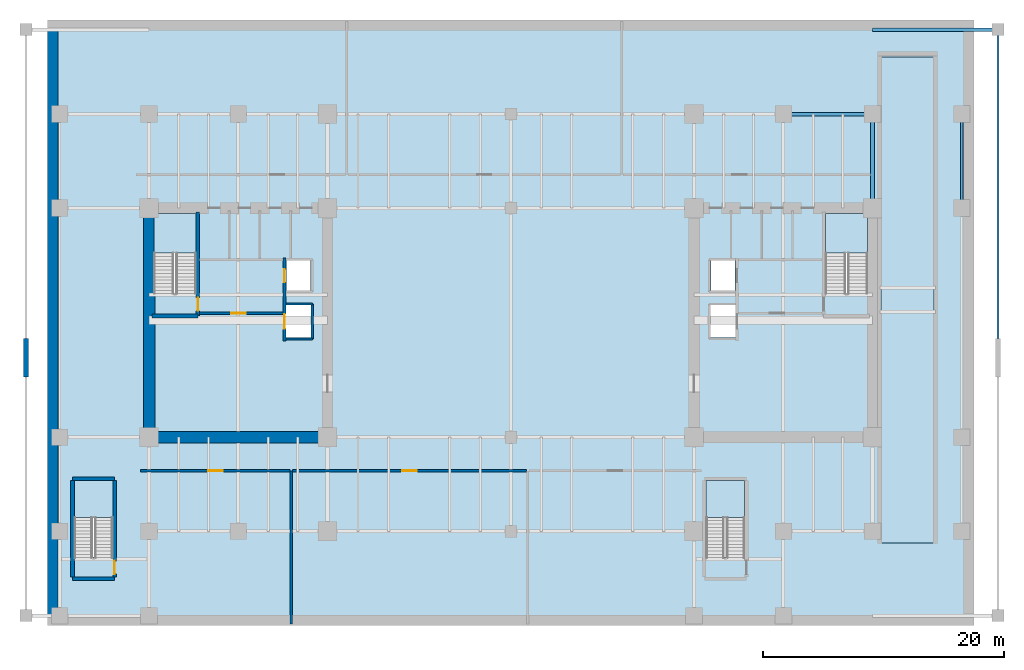
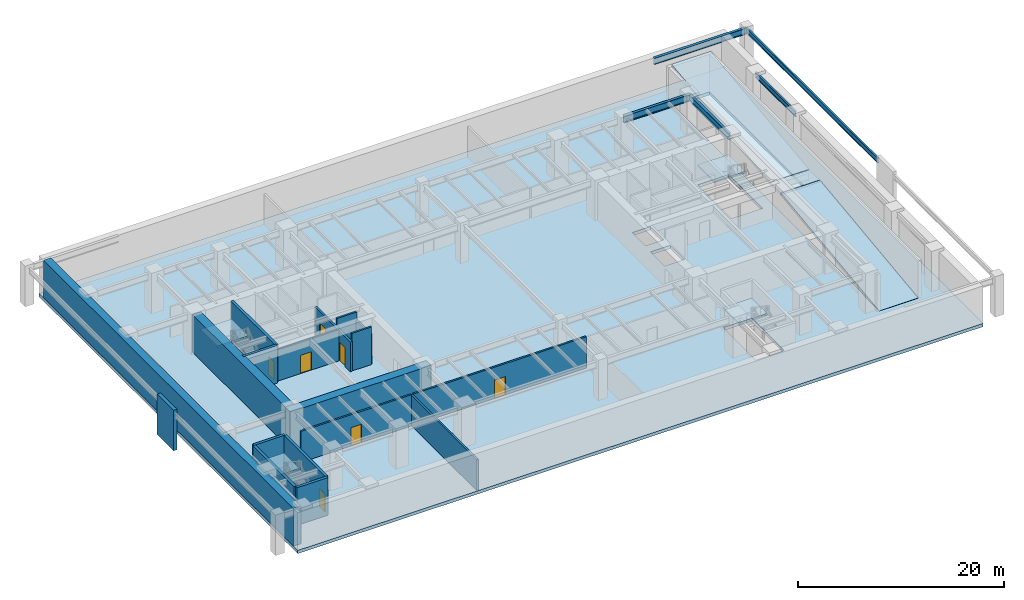
# One storey, part 2 of 7: 18 walls, 8 slabs, 7 doors, 5 beams, 7 openings, 4 elements without a shape of their own.
"""IFC4 building model written with IfcOpenShell, lengths in metres."""

from ifc_helpers import new_model, si_unit, direction, frame, frame_2d, origin, origin_2d, place, context, subcontext, project, spatial, polyline, rectangle, i_section, outline, extrude, source, transform, mapped, material, layer, layer_set, material_profile, profile_set, type_object, type_shapes, element, fill, aggregate, save


model = new_model("IFC4")

# Units and contexts
model_context = context("Model", 3, precision=1e-05, world=origin(), true_north=direction((0.0, 1.0)))
body_context = subcontext(model_context, "Body", "Model", "MODEL_VIEW")
ifc_project = project(units=[si_unit("LENGTHUNIT", "METRE"), si_unit("AREAUNIT", "SQUARE_METRE"), si_unit("VOLUMEUNIT", "CUBIC_METRE"), si_unit("PLANEANGLEUNIT", "RADIAN"), si_unit("MASSUNIT", "GRAM", prefix="KILO")], contexts=[model_context])

# Site, building, storey
site_placement = place(None, origin())
site = spatial("IfcSite", under=ifc_project, at=site_placement, CompositionType="ELEMENT")
building_placement = place(site_placement, origin())
building = spatial("IfcBuilding", under=site, at=building_placement, Name="Haelvirn Gate Laboratories", CompositionType="ELEMENT")
storey_placement = place(building_placement, frame((0.0, 0.0, -4.800048828125)))
storey = spatial("IfcBuildingStorey", under=building, at=storey_placement, Name="B1", CompositionType="ELEMENT", Elevation=-4.800048828125)

# Beams
ifc_material_1 = material(Name="Steel SM420", Category="steel")
ifc_material_profile_1 = material_profile(ifc_material_1, i_section(OverallWidth=0.300048828125, OverallDepth=0.800048828125, WebThickness=0.013916015625, FlangeThickness=0.02587890625, at=origin_2d()), Name="H-800x300x14x26")
ifc_profile_set_1 = profile_set([ifc_material_profile_1], Name="Steel SM420")
beam_type_1 = type_object("IfcBeamType", Name="BM-G-800", PredefinedType="BEAM", material=ifc_profile_set_1)
shared_shape_1 = source(origin(), body_context, "Body", "SweptSolid", [
    extrude(i_section(OverallWidth=0.300048828125, OverallDepth=0.800048828125, WebThickness=0.013916015625, FlangeThickness=0.02587890625, at=origin_2d()), origin(), (0.0, 0.0, 1.0), 7.39990234375),
])
type_shapes(beam_type_1, [shared_shape_1])
beam_1_placement = place(storey_placement, frame((60.0, 41.60009765625, 4.050048828125), z_axis=(1.0, 0.0, 0.0), x_axis=(0.0, 1.0, 0.0)))
element("IfcBeam", 1, at=beam_1_placement, inside=storey, type_object=beam_type_1, Name="B1 Primary Girder Y41.6 (60.0-67.4)", PredefinedType="BEAM", context=body_context, shape_type="MappedRepresentation", body=[
    mapped(shared_shape_1, transform((0.0, 0.0, 0.0), scale=1.0)),
])
ifc_material_2 = material(Name="Steel SM355", Category="steel")
ifc_material_profile_2 = material_profile(ifc_material_2, i_section(OverallWidth=0.199951171875, OverallDepth=0.60009765625, WebThickness=0.010986328125, FlangeThickness=0.01708984375, at=origin_2d()), Name="H-600x200x11x17")
ifc_profile_set_2 = profile_set([ifc_material_profile_2], Name="Steel SM355")
beam_type_2 = type_object("IfcBeamType", Name="BM-SP-600", PredefinedType="SPANDREL", material=ifc_profile_set_2)
shared_shape_2 = source(origin(), body_context, "Body", "SweptSolid", [
    extrude(i_section(OverallWidth=0.199951171875, OverallDepth=0.60009765625, WebThickness=0.010986328125, FlangeThickness=0.01708984375, at=origin_2d()), origin(), (0.0, 0.0, 1.0), 7.800048828125),
])
beam_2_placement = place(storey_placement, frame((74.800048828125, 33.800048828125, 4.150146484375), z_axis=(0.0, 1.0, 0.0), x_axis=(-1.0, 0.0, 0.0)))
element("IfcBeam", 2, at=beam_2_placement, inside=storey, type_object=beam_type_2, Name="B1 Perimeter Spandrel X74.8 (33.8-41.6)", PredefinedType="SPANDREL", context=body_context, shape_type="MappedRepresentation", body=[
    mapped(shared_shape_2, transform((0.0, 0.0, 0.0), scale=1.0)),
])
ifc_material_profile_3 = material_profile(ifc_material_2, i_section(OverallWidth=0.300048828125, OverallDepth=0.75, WebThickness=0.013916015625, FlangeThickness=0.02392578125, at=origin_2d()), Name="H-750x300x14x24")
ifc_profile_set_3 = profile_set([ifc_material_profile_3], Name="Steel SM355")
beam_type_3 = type_object("IfcBeamType", Name="BM-G-750", PredefinedType="BEAM", material=ifc_profile_set_3)
shared_shape_3 = source(origin(), body_context, "Body", "SweptSolid", [
    extrude(i_section(OverallWidth=0.300048828125, OverallDepth=0.75, WebThickness=0.013916015625, FlangeThickness=0.02392578125, at=origin_2d()), origin(), (0.0, 0.0, 1.0), 7.800048828125),
])
beam_3_placement = place(storey_placement, frame((67.39990234375, 33.800048828125, 4.074951171875), z_axis=(0.0, 1.0, 0.0), x_axis=(-1.0, 0.0, 0.0)))
element("IfcBeam", 3, at=beam_3_placement, inside=storey, type_object=beam_type_3, Name="B1 Frame Girder X67.4 (33.8-41.6)", PredefinedType="BEAM", context=body_context, shape_type="MappedRepresentation", body=[
    mapped(shared_shape_3, transform((0.0, 0.0, 0.0), scale=1.0)),
])
shared_shape_4 = source(origin(), body_context, "Body", "SweptSolid", [
    extrude(i_section(OverallWidth=0.300048828125, OverallDepth=0.75, WebThickness=0.013916015625, FlangeThickness=0.02392578125, at=origin_2d()), origin(), (0.0, 0.0, 1.0), 10.400146484375),
])
type_shapes(beam_type_3, [shared_shape_3, shared_shape_4])
beam_4_placement = place(storey_placement, frame((67.39990234375, 48.60009765625, 4.074951171875), z_axis=(1.0, 0.0, 0.0), x_axis=(0.0, 1.0, 0.0)))
element("IfcBeam", 4, at=beam_4_placement, inside=storey, type_object=beam_type_3, Name="B1 East Plaza Support Girder N", PredefinedType="BEAM", context=body_context, shape_type="MappedRepresentation", body=[
    mapped(shared_shape_4, transform((0.0, 0.0, 0.0), scale=1.0)),
])
shared_shape_5 = source(origin(), body_context, "Body", "SweptSolid", [
    extrude(i_section(OverallWidth=0.199951171875, OverallDepth=0.60009765625, WebThickness=0.010986328125, FlangeThickness=0.01708984375, at=origin_2d()), origin(), (0.0, 0.0, 1.0), 25.60009765625),
])
type_shapes(beam_type_2, [shared_shape_2, shared_shape_5])
beam_5_placement = place(storey_placement, frame((77.800048828125, 23.0, 4.150146484375), z_axis=(0.0, 1.0, 0.0), x_axis=(-1.0, 0.0, 0.0)))
element("IfcBeam", 5, at=beam_5_placement, inside=storey, type_object=beam_type_2, Name="B1 East Plaza Edge Beam N", PredefinedType="SPANDREL", context=body_context, shape_type="MappedRepresentation", body=[
    mapped(shared_shape_5, transform((0.0, 0.0, 0.0), scale=1.0)),
])

# Stair, slab
ifc_material_3 = material(Name="Concrete C40/50", Category="concrete")
stair_type_1 = type_object("IfcStairType", Name="ST-DOG-1650-R26", PredefinedType="HALF_TURN_STAIR", material=ifc_material_3)
stair_1_placement = place(storey_placement, origin())
stair_1 = element("IfcStair", 6, at=stair_1_placement, inside=storey, type_object=stair_type_1, Name="B1 Escape Stair ST1", PredefinedType="HALF_TURN_STAIR")
ifc_layer_1 = layer(ifc_material_3, 0.199951171875, Name="SL-STAIR-LND")
ifc_layer_set_1 = layer_set([ifc_layer_1], Name="Concrete C40/50")
slab_type_1 = type_object("IfcSlabType", Name="SL-STAIR-LND", PredefinedType="LANDING", material=ifc_layer_set_1)
slab_1_placement = place(storey_placement, frame((0.0, 0.0, 2.199951171875)))
slab_1 = element("IfcSlab", 7, at=slab_1_placement, type_object=slab_type_1, Name="ST1 landing 1", PredefinedType="LANDING", context=body_context, shape_type="SweptSolid", body=[
    extrude(outline(polyline([(11.300048828125, 30.06005859375), (11.300048828125, 33.35009765625), (7.800048828125, 33.35009765625), (7.800048828125, 30.06005859375), (11.300048828125, 30.06005859375)])), origin(), (0.0, 0.0, 1.0), 0.2001953125),
])
aggregate(stair_1, [slab_1])

stair_2_placement = place(storey_placement, origin())
stair_2 = element("IfcStair", 8, at=stair_2_placement, inside=storey, type_object=stair_type_1, Name="B1 Escape Stair ST2", PredefinedType="HALF_TURN_STAIR")
slab_2_placement = place(storey_placement, frame((0.0, 0.0, 2.199951171875)))
slab_2 = element("IfcSlab", 9, at=slab_2_placement, type_object=slab_type_1, Name="ST2 landing 1", PredefinedType="LANDING", context=body_context, shape_type="SweptSolid", body=[
    extrude(outline(polyline([(67.0, 30.06005859375), (67.0, 33.35009765625), (63.5, 33.35009765625), (63.5, 30.06005859375), (67.0, 30.06005859375)])), origin(), (0.0, 0.0, 1.0), 0.2001953125),
])
aggregate(stair_2, [slab_2])

stair_type_2 = type_object("IfcStairType", Name="ST-DOG-1500-R26", PredefinedType="HALF_TURN_STAIR", material=ifc_material_3)
stair_3_placement = place(storey_placement, origin())
stair_3 = element("IfcStair", 10, at=stair_3_placement, inside=storey, type_object=stair_type_2, Name="B1 Escape Stair ST3", PredefinedType="HALF_TURN_STAIR")
slab_3_placement = place(storey_placement, frame((0.0, 0.0, 2.199951171875)))
slab_3 = element("IfcSlab", 11, at=slab_3_placement, type_object=slab_type_1, Name="ST3 landing 1", PredefinedType="LANDING", context=body_context, shape_type="SweptSolid", body=[
    extrude(outline(polyline([(4.39990234375, 8.159912109375), (4.39990234375, 11.199951171875), (1.199951171875, 11.199951171875), (1.199951171875, 8.159912109375), (4.39990234375, 8.159912109375)])), origin(), (0.0, 0.0, 1.0), 0.2001953125),
])
aggregate(stair_3, [slab_3])

stair_4_placement = place(storey_placement, origin())
stair_4 = element("IfcStair", 12, at=stair_4_placement, inside=storey, type_object=stair_type_2, Name="B1 Escape Stair ST4", PredefinedType="HALF_TURN_STAIR")
slab_4_placement = place(storey_placement, frame((0.0, 0.0, 2.199951171875)))
slab_4 = element("IfcSlab", 13, at=slab_4_placement, type_object=slab_type_1, Name="ST4 landing 1", PredefinedType="LANDING", context=body_context, shape_type="SweptSolid", body=[
    extrude(outline(polyline([(56.800048828125, 8.159912109375), (56.800048828125, 11.199951171875), (53.60009765625, 11.199951171875), (53.60009765625, 8.159912109375), (56.800048828125, 8.159912109375)])), origin(), (0.0, 0.0, 1.0), 0.2001953125),
])
aggregate(stair_4, [slab_4])

# Slabs
ifc_material_4 = material(Name="Concrete C50/60", Category="concrete")
ifc_layer_2 = layer(ifc_material_4, 0.3798828125, Name="SL-SUB-380")
ifc_layer_set_2 = layer_set([ifc_layer_2], Name="Concrete C50/60")
slab_type_2 = type_object("IfcSlabType", Name="SL-SUB-380", PredefinedType="FLOOR", material=ifc_layer_set_2)
slab_5_placement = place(storey_placement, frame((0.0, 0.0, -0.3798828125)))
element("IfcSlab", 14, at=slab_5_placement, inside=storey, type_object=slab_type_2, Name="B1 Structural Slab MAIN", PredefinedType="FLOOR", context=body_context, shape_type="SweptSolid", body=[
    extrude(outline(polyline([(-1.0, -0.800048828125), (75.800048828125, -0.800048828125), (75.800048828125, -0.800048828125), (75.800048828125, -0.800048828125), (75.800048828125, 49.39990234375), (75.800048828125, 49.39990234375), (75.800048828125, 49.39990234375), (-1.0, 49.39990234375), (-1.0, 49.39990234375), (-1.0, 49.39990234375), (-1.0, -0.800048828125), (-1.0, -0.800048828125), (-1.0, -0.800048828125)]), holes=[polyline([(11.300048828125, 26.780029296875), (11.300048828125, 33.35009765625), (7.800048828125, 33.35009765625), (7.800048828125, 26.780029296875), (11.300048828125, 26.780029296875)]), polyline([(67.0, 26.780029296875), (67.0, 33.35009765625), (63.5, 33.35009765625), (63.5, 26.780029296875), (67.0, 26.780029296875)]), polyline([(4.39990234375, 4.8798828125), (4.39990234375, 11.199951171875), (1.199951171875, 11.199951171875), (1.199951171875, 4.8798828125), (4.39990234375, 4.8798828125)]), polyline([(56.800048828125, 4.8798828125), (56.800048828125, 11.199951171875), (53.60009765625, 11.199951171875), (53.60009765625, 4.8798828125), (56.800048828125, 4.8798828125)]), polyline([(18.7900390625, 26.969970703125), (20.81005859375, 26.969970703125), (20.81005859375, 29.510009765625), (18.7900390625, 29.510009765625), (18.7900390625, 26.969970703125)]), polyline([(18.68994140625, 23.070068359375), (20.909912109375, 23.070068359375), (20.909912109375, 25.81005859375), (18.68994140625, 25.81005859375), (18.68994140625, 23.070068359375)]), polyline([(53.989990234375, 26.969970703125), (56.010009765625, 26.969970703125), (56.010009765625, 29.510009765625), (53.989990234375, 29.510009765625), (53.989990234375, 26.969970703125)]), polyline([(53.889892578125, 23.070068359375), (56.110107421875, 23.070068359375), (56.110107421875, 25.81005859375), (53.889892578125, 25.81005859375), (53.889892578125, 23.070068359375)]), polyline([(68.199951171875, 6.080078125), (72.39990234375, 6.080078125), (72.39990234375, 46.39990234375), (68.199951171875, 46.39990234375), (68.199951171875, 6.080078125)])]), origin(), (0.0, 0.0, 1.0), 0.3798828125),
])
ifc_layer_3 = layer(ifc_material_4, 0.300048828125, Name="SL-VRMP-300")
ifc_layer_set_3 = layer_set([ifc_layer_3], Name="Concrete C50/60")
slab_type_3 = type_object("IfcSlabType", Name="SL-VRMP-300", PredefinedType="USERDEFINED", material=ifc_layer_set_3)
slab_6_placement = place(storey_placement, frame((68.10009765625, 6.050048828125, 0.010009765625), z_axis=(0.0, -0.124170543435, 0.992260891169), x_axis=(1.0, 0.0, 0.0)))
element("IfcSlab", 15, at=slab_6_placement, inside=storey, type_object=slab_type_3, Name="Car park vehicle ramp B1 lower structural slab", ObjectType="RAMP", PredefinedType="USERDEFINED", context=body_context, shape_type="SweptSolid", body=[
    extrude(outline(polyline([(0.0, 0.0), (4.39990234375, 0.0), (4.39990234375, 19.248779296875), (0.0, 19.248779296875), (0.0, 0.0)])), origin(), (0.0, 0.0, -1.0), 0.300048828125),
])
slab_7_placement = place(storey_placement, frame((68.10009765625, 27.25, 2.400146484375), z_axis=(0.0, -0.124668441349, 0.992198457836), x_axis=(1.0, 0.0, 0.0)))
element("IfcSlab", 16, at=slab_7_placement, inside=storey, type_object=slab_type_3, Name="Car park vehicle ramp B1 upper structural slab", ObjectType="RAMP", PredefinedType="USERDEFINED", context=body_context, shape_type="SweptSolid", body=[
    extrude(outline(polyline([(0.0, 0.0), (4.39990234375, 0.0), (4.39990234375, 19.250244140625), (0.0, 19.250244140625), (0.0, 0.0)])), origin(), (0.0, 0.0, -1.0), 0.300048828125),
])
ifc_layer_4 = layer(ifc_material_4, 0.300048828125, Name="SL-VRMP-LND")
ifc_layer_set_4 = layer_set([ifc_layer_4], Name="Concrete C50/60")
slab_type_4 = type_object("IfcSlabType", Name="SL-VRMP-LND", PredefinedType="LANDING", material=ifc_layer_set_4)
slab_8_placement = place(storey_placement, frame((0.0, 0.0, 2.10009765625)))
element("IfcSlab", 17, at=slab_8_placement, inside=storey, type_object=slab_type_4, Name="Car park vehicle ramp B1 intermediate landing", PredefinedType="LANDING", context=body_context, shape_type="SweptSolid", body=[
    extrude(outline(polyline([(68.10009765625, 25.199951171875), (72.5, 25.199951171875), (72.5, 27.199951171875), (68.10009765625, 27.199951171875), (68.10009765625, 25.199951171875)])), origin(), (0.0, 0.0, 1.0), 0.300048828125),
])

# Walls
ifc_layer_5 = layer(ifc_material_3, 0.199951171875, Name="IW-SHAFT-200")
ifc_layer_set_5 = layer_set([ifc_layer_5], Name="Concrete C40/50")
wall_type_1 = type_object("IfcWallType", Name="IW-SHAFT-200", PredefinedType="SOLIDWALL", material=ifc_layer_set_5)
wall_1_placement = place(storey_placement, frame((20.949951171875, 22.949951171875, 0.0), z_axis=(0.0, 0.0, 1.0), x_axis=(0.0, 1.0, 0.0)))
element("IfcWall", 18, at=wall_1_placement, inside=storey, type_object=wall_type_1, Name="B1 Interior Wall IW-B1-SL1-BK", PredefinedType="SOLIDWALL", context=body_context, shape_type="SweptSolid", body=[
    extrude(rectangle(XDim=2.900146484375, YDim=0.199951171875, at=frame_2d((1.4501953125, 0.0))), origin(), (0.0, 0.0, 1.0), 3.53515625),
])
for number, where, z_axis, x_axis, name in (
    (19, (18.760009765625, 25.85009765625, 0.0), (0.0, 0.0, 1.0), (1.0, 0.0, 0.0), "B1 Interior Wall IW-B1-SL1-N"),
    (20, (18.760009765625, 22.949951171875, 0.0), (0.0, 0.0, 1.0), (1.0, 0.0, 0.0), "B1 Interior Wall IW-B1-SL1-S"),
):
    element("IfcWall", number, at=place(storey_placement, frame(where, z_axis=z_axis, x_axis=x_axis)), inside=storey, type_object=wall_type_1, Name=name, PredefinedType="SOLIDWALL", context=body_context, shape_type="SweptSolid", body=[
        extrude(rectangle(XDim=2.18994140625, YDim=0.199951171875, at=frame_2d((1.094970703125, 0.0))), origin(), (0.0, 0.0, 1.0), 4.449951171875),
    ])

# Wall, opening, door
wall_2_placement = place(storey_placement, frame((6.699951171875, 12.02001953125, 0.0), z_axis=(0.0, 0.0, 1.0), x_axis=(1.0, 0.0, 0.0)))
wall_2 = element("IfcWall", 21, at=wall_2_placement, inside=storey, type_object=wall_type_1, Name="B1 Interior Wall IW-B1-PSW-1", PredefinedType="SOLIDWALL", context=body_context, shape_type="SweptSolid", body=[
    extrude(rectangle(XDim=12.400146484375, YDim=0.199951171875, at=frame_2d((6.2001953125, 0.0))), origin(), (0.0, 0.0, 1.0), 3.68505859375),
])
opening_1_placement = place(wall_2_placement, frame((5.60009765625, 0.0, 0.0)))
opening_1 = element("IfcOpeningElement", 22, at=opening_1_placement, cuts=wall_2, Name="Opening FD2", PredefinedType="OPENING", context=body_context, shape_type="SweptSolid", body=[
    extrude(rectangle(XDim=1.199951171875, YDim=2.159912109375, at=frame_2d((0.60009765625, 1.080078125))), frame((0.0, 0.10986328125, 0.0), z_axis=(0.0, -1.0, 0.0), x_axis=(1.0, 0.0, 0.0)), (0.0, 0.0, 1.0), 0.219970703125),
])
ifc_material_5 = material(Name="Fire-rated steel SM355 compartment door", Category="steel")
door_type_1 = type_object("IfcDoorType", Name="DR-FD-1200", OperationType="NOTDEFINED", PredefinedType="DOOR", material=ifc_material_5)
shared_shape_6 = source(origin(), body_context, "Body", "SweptSolid", [
    extrude(rectangle(XDim=1.199951171875, YDim=2.159912109375, at=frame_2d((0.60009765625, 1.080078125))), frame((0.0, 0.02490234375, 0.0), z_axis=(0.0, -1.0, 0.0), x_axis=(1.0, 0.0, 0.0)), (0.0, 0.0, 1.0), 0.050048828125),
])
type_shapes(door_type_1, [shared_shape_6])
door_1_placement = place(opening_1_placement, origin())
door_1 = element("IfcDoor", 23, at=door_1_placement, inside=storey, type_object=door_type_1, Name="B1 Central Substation & Switchgear Hall Fire Door", OperationType="SINGLE_SWING_LEFT", OverallHeight=2.159912109375, OverallWidth=1.199951171875, PredefinedType="DOOR", context=body_context, shape_type="MappedRepresentation", body=[
    mapped(shared_shape_6, transform((0.0, 0.0, 0.0), scale=1.0)),
])
fill(opening_1, door_1)

# Wall
wall_3_placement = place(storey_placement, frame((19.199951171875, -0.68994140625, 0.0), z_axis=(0.0, 0.0, 1.0), x_axis=(0.0, 1.0, 0.0)))
element("IfcWall", 24, at=wall_3_placement, inside=storey, type_object=wall_type_1, Name="B1 Interior Wall IW-B1-PSDIV-1", PredefinedType="SOLIDWALL", context=body_context, shape_type="SweptSolid", body=[
    extrude(rectangle(XDim=12.7099609375, YDim=0.199951171875, at=frame_2d((6.35498046875, 0.0))), origin(), (0.0, 0.0, 1.0), 3.635009765625),
])

# Wall, opening, door
wall_4_placement = place(storey_placement, frame((19.300048828125, 12.02001953125, 0.0), z_axis=(0.0, 0.0, 1.0), x_axis=(1.0, 0.0, 0.0)))
wall_4 = element("IfcWall", 25, at=wall_4_placement, inside=storey, type_object=wall_type_1, Name="B1 Interior Wall IW-B1-PSW-2", PredefinedType="SOLIDWALL", context=body_context, shape_type="SweptSolid", body=[
    extrude(rectangle(XDim=19.39990234375, YDim=0.199951171875, at=frame_2d((9.699951171875, 0.0))), origin(), (0.0, 0.0, 1.0), 3.68505859375),
])
opening_2_placement = place(wall_4_placement, frame((9.10009765625, 0.0, 0.0)))
opening_2 = element("IfcOpeningElement", 26, at=opening_2_placement, cuts=wall_4, Name="Opening FD2", PredefinedType="OPENING", context=body_context, shape_type="SweptSolid", body=[
    extrude(rectangle(XDim=1.199951171875, YDim=2.159912109375, at=frame_2d((0.60009765625, 1.080078125))), frame((0.0, 0.10986328125, 0.0), z_axis=(0.0, -1.0, 0.0), x_axis=(1.0, 0.0, 0.0)), (0.0, 0.0, 1.0), 0.219970703125),
])
door_2_placement = place(opening_2_placement, origin())
door_2 = element("IfcDoor", 27, at=door_2_placement, inside=storey, type_object=door_type_1, Name="B1 Cryogenic Bulk Gas Storage Fire Door", OperationType="SINGLE_SWING_RIGHT", OverallHeight=2.159912109375, OverallWidth=1.199951171875, PredefinedType="DOOR", context=body_context, shape_type="MappedRepresentation", body=[
    mapped(shared_shape_6, transform((0.0, 0.0, 0.0), scale=1.0)),
])
fill(opening_2, door_2)

ifc_layer_6 = layer(ifc_material_3, 0.239990234375, Name="IW-SHAFT-240")
ifc_layer_set_6 = layer_set([ifc_layer_6], Name="Concrete C40/50")
wall_type_2 = type_object("IfcWallType", Name="IW-SHAFT-240", PredefinedType="SOLIDWALL", material=ifc_layer_set_6)
wall_5_placement = place(storey_placement, frame((11.60009765625, 25.080078125, 0.0), z_axis=(0.0, 0.0, 1.0), x_axis=(1.0, 0.0, 0.0)))
wall_5 = element("IfcWall", 28, at=wall_5_placement, inside=storey, type_object=wall_type_2, Name="B1 Interior Wall IW-B1-W-FF-S", PredefinedType="SOLIDWALL", context=body_context, shape_type="SweptSolid", body=[
    extrude(rectangle(XDim=6.919921875, YDim=0.239990234375, at=frame_2d((3.4599609375, 0.0))), origin(), (0.0, 0.0, 1.0), 3.68505859375),
])
opening_3_placement = place(wall_5_placement, frame((2.60009765625, 0.0, 0.0)))
opening_3 = element("IfcOpeningElement", 29, at=opening_3_placement, cuts=wall_5, Name="Opening FD2", PredefinedType="OPENING", context=body_context, shape_type="SweptSolid", body=[
    extrude(rectangle(XDim=1.199951171875, YDim=2.159912109375, at=frame_2d((0.60009765625, 1.080078125))), frame((0.0, 0.1298828125, 0.0), z_axis=(0.0, -1.0, 0.0), x_axis=(1.0, 0.0, 0.0)), (0.0, 0.0, 1.0), 0.260009765625),
])
door_3_placement = place(opening_3_placement, origin())
door_3 = element("IfcDoor", 30, at=door_3_placement, inside=storey, type_object=door_type_1, Name="B1 West Firefighting Lobby Door", OperationType="SINGLE_SWING_RIGHT", OverallHeight=2.159912109375, OverallWidth=1.199951171875, PredefinedType="DOOR", context=body_context, shape_type="MappedRepresentation", body=[
    mapped(shared_shape_6, transform((0.0, 0.0, 0.0), scale=1.0)),
])
fill(opening_3, door_3)

# Wall, openings, doors
wall_6_placement = place(storey_placement, frame((18.639892578125, 22.800048828125, 0.0), z_axis=(0.0, 0.0, 1.0), x_axis=(0.0, 1.0, 0.0)))
wall_6 = element("IfcWall", 31, at=wall_6_placement, inside=storey, type_object=wall_type_2, Name="B1 Interior Wall IW-B1-W-FF-E", PredefinedType="SOLIDWALL", context=body_context, shape_type="SweptSolid", body=[
    extrude(rectangle(XDim=6.849853515625, YDim=0.239990234375, at=frame_2d((3.4248046875, 0.0))), origin(), (0.0, 0.0, 1.0), 3.53515625),
])
opening_4_placement = place(wall_6_placement, frame((4.85009765625, 0.0, 0.0)))
opening_4 = element("IfcOpeningElement", 32, at=opening_4_placement, cuts=wall_6, Name="Opening LD2", PredefinedType="OPENING", context=body_context, shape_type="SweptSolid", body=[
    extrude(rectangle(XDim=1.10009765625, YDim=2.219970703125, at=frame_2d((0.550048828125, 1.10986328125))), frame((0.0, 0.1298828125, 0.0), z_axis=(0.0, -1.0, 0.0), x_axis=(1.0, 0.0, 0.0)), (0.0, 0.0, 1.0), 0.260009765625),
])
opening_5_placement = place(wall_6_placement, frame((1.0, 0.0, 0.0)))
opening_5 = element("IfcOpeningElement", 33, at=opening_5_placement, cuts=wall_6, Name="Opening LD1", PredefinedType="OPENING", context=body_context, shape_type="SweptSolid", body=[
    extrude(rectangle(XDim=1.199951171875, YDim=2.219970703125, at=frame_2d((0.60009765625, 1.10986328125))), frame((0.0, 0.1298828125, 0.0), z_axis=(0.0, -1.0, 0.0), x_axis=(1.0, 0.0, 0.0)), (0.0, 0.0, 1.0), 0.260009765625),
])
ifc_material_6 = material(Name="Bronze stainless 316L sliding lift landing door")
door_type_2 = type_object("IfcDoorType", Name="DR-LD-1100", OperationType="NOTDEFINED", PredefinedType="USERDEFINED", material=ifc_material_6)
shared_shape_7 = source(origin(), body_context, "Body", "SweptSolid", [
    extrude(rectangle(XDim=1.10009765625, YDim=2.219970703125, at=frame_2d((0.550048828125, 1.10986328125))), frame((0.0, 0.02490234375, 0.0), z_axis=(0.0, -1.0, 0.0), x_axis=(1.0, 0.0, 0.0)), (0.0, 0.0, 1.0), 0.050048828125),
])
type_shapes(door_type_2, [shared_shape_7])
door_4_placement = place(opening_4_placement, origin())
door_4 = element("IfcDoor", 34, at=door_4_placement, inside=storey, type_object=door_type_2, Name="B1 Firefighting Lift FL1 Landing Door", ObjectType="LANDING_DOOR", OperationType="SLIDING_TO_LEFT", OverallHeight=2.219970703125, OverallWidth=1.10009765625, PredefinedType="USERDEFINED", context=body_context, shape_type="MappedRepresentation", body=[
    mapped(shared_shape_7, transform((0.0, 0.0, 0.0), scale=1.0)),
])
fill(opening_4, door_4)
ifc_material_7 = material(Name="Stainless steel 316L sliding goods landing door", Category="steel")
door_type_3 = type_object("IfcDoorType", Name="DR-LD-1200", OperationType="NOTDEFINED", PredefinedType="USERDEFINED", material=ifc_material_7)
shared_shape_8 = source(origin(), body_context, "Body", "SweptSolid", [
    extrude(rectangle(XDim=1.199951171875, YDim=2.219970703125, at=frame_2d((0.60009765625, 1.10986328125))), frame((0.0, 0.02490234375, 0.0), z_axis=(0.0, -1.0, 0.0), x_axis=(1.0, 0.0, 0.0)), (0.0, 0.0, 1.0), 0.050048828125),
])
type_shapes(door_type_3, [shared_shape_8])
door_5_placement = place(opening_5_placement, origin())
door_5 = element("IfcDoor", 35, at=door_5_placement, inside=storey, type_object=door_type_3, Name="B1 Service Lift SL1 Landing Door", ObjectType="LANDING_DOOR", OperationType="SLIDING_TO_RIGHT", OverallHeight=2.219970703125, OverallWidth=1.199951171875, PredefinedType="USERDEFINED", context=body_context, shape_type="MappedRepresentation", body=[
    mapped(shared_shape_8, transform((0.0, 0.0, 0.0), scale=1.0)),
])
fill(opening_5, door_5)

# Walls
ifc_material_8 = material(Name="Concrete C70/85", Category="concrete")
ifc_layer_7 = layer(ifc_material_8, 0.949951171875, Name="SW-CORE-950")
ifc_layer_set_7 = layer_set([ifc_layer_7], Name="Concrete C70/85")
wall_type_3 = type_object("IfcWallType", Name="SW-CORE-950", PredefinedType="SHEAR", material=ifc_layer_set_7)
wall_7_placement = place(storey_placement, frame((6.925048828125, 14.800048828125, 0.0), z_axis=(0.0, 0.0, 1.0), x_axis=(1.0, 0.0, 0.0)))
element("IfcWall", 36, at=wall_7_placement, inside=storey, type_object=wall_type_3, Name="B1 W Core Shear Wall S", PredefinedType="SHEAR", context=body_context, shape_type="SweptSolid", body=[
    extrude(rectangle(XDim=15.75, YDim=0.949951171875, at=frame_2d((7.875, 0.0))), origin(), (0.0, 0.0, 1.0), 4.449951171875),
])
wall_8_placement = place(storey_placement, frame((7.39990234375, 15.27490234375, 0.0), z_axis=(0.0, 0.0, 1.0), x_axis=(0.0, 1.0, 0.0)))
element("IfcWall", 37, at=wall_8_placement, inside=storey, type_object=wall_type_3, Name="B1 W Core Shear Wall W", PredefinedType="SHEAR", context=body_context, shape_type="SweptSolid", body=[
    extrude(rectangle(XDim=18.050048828125, YDim=0.949951171875, at=frame_2d((9.02490234375, 0.0))), origin(), (0.0, 0.0, 1.0), 4.449951171875),
])
ifc_layer_8 = layer(ifc_material_4, 0.39990234375, Name="SW-PLINTH-400")
ifc_layer_set_8 = layer_set([ifc_layer_8], Name="Concrete C50/60")
wall_type_4 = type_object("IfcWallType", Name="SW-PLINTH-400", PredefinedType="SOLIDWALL", material=ifc_layer_set_8)
wall_9_placement = place(storey_placement, frame((-2.800048828125, 19.800048828125, 0.0), z_axis=(0.0, 0.0, 1.0), x_axis=(0.0, 1.0, 0.0)))
element("IfcWall", 38, at=wall_9_placement, inside=storey, type_object=wall_type_4, Name="B1 West Accessible Ramp Plinth Wall", PredefinedType="SOLIDWALL", context=body_context, shape_type="SweptSolid", body=[
    extrude(rectangle(XDim=3.199951171875, YDim=0.39990234375, at=frame_2d((1.60009765625, 0.0))), origin(), (0.0, 0.0, 1.0), 4.7900390625),
])
ifc_layer_9 = layer(ifc_material_4, 0.85009765625, Name="SW-RET-850")
ifc_layer_set_9 = layer_set([ifc_layer_9], Name="Concrete C50/60")
wall_type_5 = type_object("IfcWallType", Name="SW-RET-850", PredefinedType="SOLIDWALL", material=ifc_layer_set_9)
wall_10_placement = place(storey_placement, frame((-0.574951171875, 0.050048828125, 0.0), z_axis=(0.0, 0.0, 1.0), x_axis=(0.0, 1.0, 0.0)))
element("IfcWall", 39, at=wall_10_placement, inside=storey, type_object=wall_type_5, Name="B1 Perimeter Diaphragm Wall W", PredefinedType="SOLIDWALL", context=body_context, shape_type="SweptSolid", body=[
    extrude(rectangle(XDim=48.5, YDim=0.85009765625, at=frame_2d((24.25, 0.0))), origin(), (0.0, 0.0, 1.0), 4.449951171875),
])

# Wall, opening, door
ifc_layer_10 = layer(ifc_material_4, 0.300048828125, Name="SW-STAIR-300")
ifc_layer_set_10 = layer_set([ifc_layer_10], Name="Concrete C50/60")
wall_type_6 = type_object("IfcWallType", Name="SW-STAIR-300", PredefinedType="SHEAR", material=ifc_layer_set_10)
wall_11_placement = place(storey_placement, frame((11.449951171875, 24.85009765625, 0.0), z_axis=(0.0, 0.0, 1.0), x_axis=(0.0, 1.0, 0.0)))
wall_11 = element("IfcWall", 40, at=wall_11_placement, inside=storey, type_object=wall_type_6, Name="B1 W Core Stair Shaft Structural Wall IN", PredefinedType="SHEAR", context=body_context, shape_type="SweptSolid", body=[
    extrude(rectangle(XDim=8.6298828125, YDim=0.300048828125, at=frame_2d((4.31494140625, 0.0))), origin(), (0.0, 0.0, 1.0), 4.449951171875),
])
opening_6_placement = place(wall_11_placement, frame((0.419921875, 0.0, 0.0)))
opening_6 = element("IfcOpeningElement", 41, at=opening_6_placement, cuts=wall_11, Name="Opening FD3", PredefinedType="OPENING", context=body_context, shape_type="SweptSolid", body=[
    extrude(rectangle(XDim=1.10009765625, YDim=2.14990234375, at=frame_2d((0.550048828125, 1.074951171875))), frame((0.0, 0.16015625, 0.0), z_axis=(0.0, -1.0, 0.0), x_axis=(1.0, 0.0, 0.0)), (0.0, 0.0, 1.0), 0.320068359375),
])
ifc_material_9 = material(Name="Fire-rated steel SM355 escape stair door", Category="steel")
door_type_4 = type_object("IfcDoorType", Name="DR-FD-1100", OperationType="NOTDEFINED", PredefinedType="DOOR", material=ifc_material_9)
shared_shape_9 = source(origin(), body_context, "Body", "SweptSolid", [
    extrude(rectangle(XDim=1.10009765625, YDim=2.14990234375, at=frame_2d((0.550048828125, 1.074951171875))), frame((0.0, 0.02490234375, 0.0), z_axis=(0.0, -1.0, 0.0), x_axis=(1.0, 0.0, 0.0)), (0.0, 0.0, 1.0), 0.050048828125),
])
type_shapes(door_type_4, [shared_shape_9])
door_6_placement = place(opening_6_placement, origin())
door_6 = element("IfcDoor", 42, at=door_6_placement, inside=storey, type_object=door_type_4, Name="B1 Escape Stair ST1 Fire Door", OperationType="SINGLE_SWING_LEFT", OverallHeight=2.14990234375, OverallWidth=1.10009765625, PredefinedType="DOOR", context=body_context, shape_type="MappedRepresentation", body=[
    mapped(shared_shape_9, transform((0.0, 0.0, 0.0), scale=1.0)),
])
fill(opening_6, door_6)

# Walls
wall_12_placement = place(storey_placement, frame((7.64990234375, 24.85009765625, 0.0), z_axis=(0.0, 0.0, 1.0), x_axis=(1.0, 0.0, 0.0)))
element("IfcWall", 43, at=wall_12_placement, inside=storey, type_object=wall_type_6, Name="B1 W Core Stair Shaft Structural Wall S", PredefinedType="SHEAR", context=body_context, shape_type="SweptSolid", body=[
    extrude(rectangle(XDim=3.800048828125, YDim=0.300048828125, at=frame_2d((1.89990234375, 0.0))), origin(), (0.0, 0.0, 1.0), 4.449951171875),
])
for number, where, z_axis, x_axis, name in (
    (44, (1.050048828125, 3.050048828125, 0.0), (0.0, 0.0, 1.0), (1.0, 0.0, 0.0), "B1 Podium Stair ST3 Structural Wall S"),
    (45, (1.050048828125, 11.35009765625, 0.0), (0.0, 0.0, 1.0), (1.0, 0.0, 0.0), "B1 Podium Stair ST3 Structural Wall N"),
):
    element("IfcWall", number, at=place(storey_placement, frame(where, z_axis=z_axis, x_axis=x_axis)), inside=storey, type_object=wall_type_6, Name=name, PredefinedType="SHEAR", context=body_context, shape_type="SweptSolid", body=[
        extrude(rectangle(XDim=3.5, YDim=0.300048828125, at=frame_2d((1.75, 0.0))), origin(), (0.0, 0.0, 1.0), 4.449951171875),
    ])
wall_13_placement = place(storey_placement, frame((1.050048828125, 3.199951171875, 0.0), z_axis=(0.0, 0.0, 1.0), x_axis=(0.0, 1.0, 0.0)))
element("IfcWall", 46, at=wall_13_placement, inside=storey, type_object=wall_type_6, Name="B1 Podium Stair ST3 Structural Wall W", PredefinedType="SHEAR", context=body_context, shape_type="SweptSolid", body=[
    extrude(rectangle(XDim=8.0, YDim=0.300048828125, at=frame_2d((4.0, 0.0))), origin(), (0.0, 0.0, 1.0), 4.449951171875),
])

# Wall, opening, door
wall_14_placement = place(storey_placement, frame((4.550048828125, 3.199951171875, 0.0), z_axis=(0.0, 0.0, 1.0), x_axis=(0.0, 1.0, 0.0)))
wall_14 = element("IfcWall", 47, at=wall_14_placement, inside=storey, type_object=wall_type_6, Name="B1 Podium Stair ST3 Structural Wall E", PredefinedType="SHEAR", context=body_context, shape_type="SweptSolid", body=[
    extrude(rectangle(XDim=8.0, YDim=0.300048828125, at=frame_2d((4.0, 0.0))), origin(), (0.0, 0.0, 1.0), 4.449951171875),
])
opening_7_placement = place(wall_14_placement, frame((0.25, 0.0, 0.0)))
opening_7 = element("IfcOpeningElement", 48, at=opening_7_placement, cuts=wall_14, Name="Opening FD3", PredefinedType="OPENING", context=body_context, shape_type="SweptSolid", body=[
    extrude(rectangle(XDim=1.10009765625, YDim=2.14990234375, at=frame_2d((0.550048828125, 1.074951171875))), frame((0.0, 0.16015625, 0.0), z_axis=(0.0, -1.0, 0.0), x_axis=(1.0, 0.0, 0.0)), (0.0, 0.0, 1.0), 0.320068359375),
])
door_7_placement = place(opening_7_placement, origin())
door_7 = element("IfcDoor", 49, at=door_7_placement, inside=storey, type_object=door_type_4, Name="B1 Escape Stair ST3 Fire Door", OperationType="SINGLE_SWING_RIGHT", OverallHeight=2.14990234375, OverallWidth=1.10009765625, PredefinedType="DOOR", context=body_context, shape_type="MappedRepresentation", body=[
    mapped(shared_shape_9, transform((0.0, 0.0, 0.0), scale=1.0)),
])
fill(opening_7, door_7)

save(model, "model.ifc")
